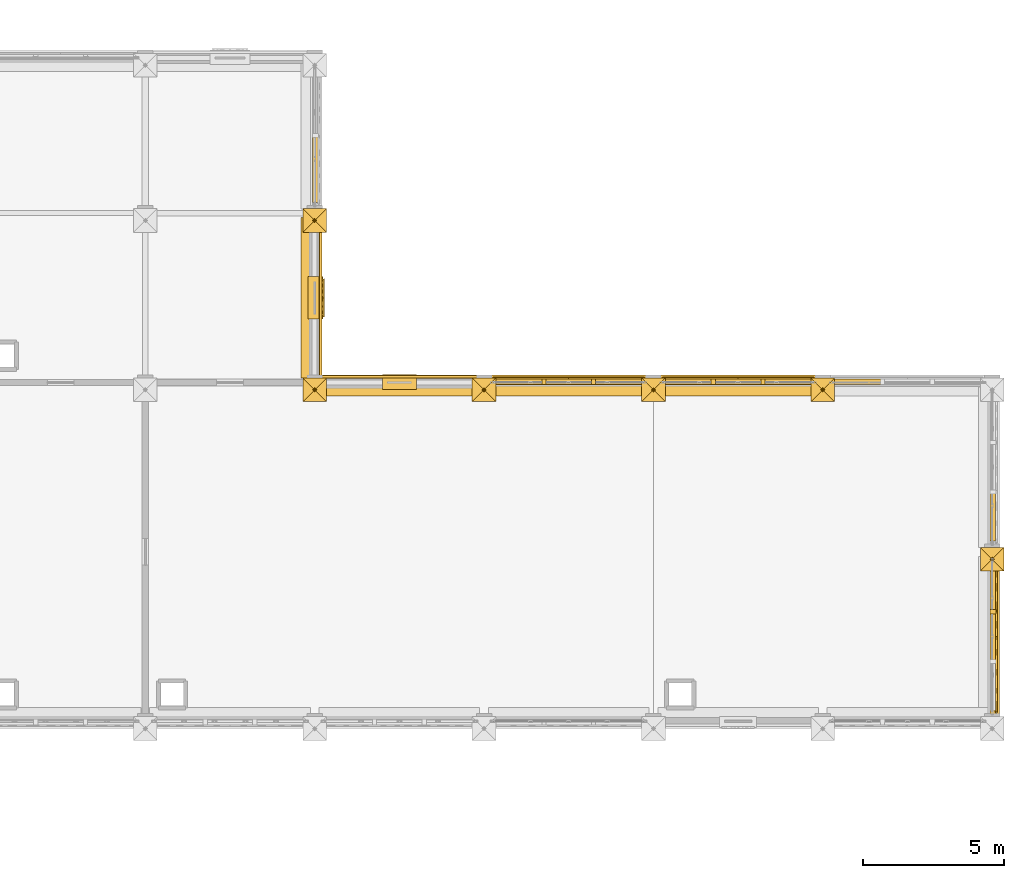
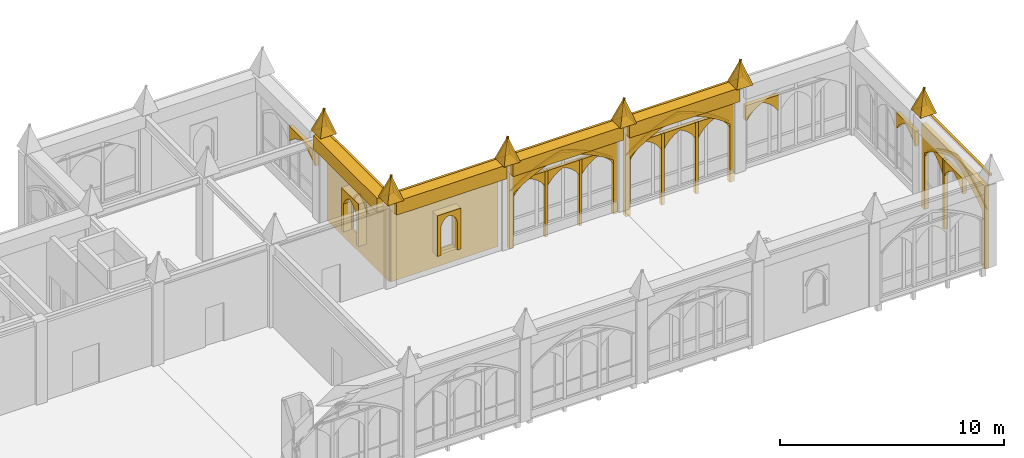
# One storey, part 104 of 108: 60 coverings.
"""IFC4 building model written with IfcOpenShell, lengths in metres."""

from ifc_helpers import new_model, si_unit, direction, frame, origin, origin_2d, place, context, subcontext, project, spatial, polyline, rectangle, outline, extrude, material, type_object, element, save


model = new_model("IFC4")

# Units and contexts
model_context = context("Model", 3, precision=1e-05, world=origin(), true_north=direction((0.0, 1.0)))
body_context = subcontext(model_context, "Body", "Model", "MODEL_VIEW")
ifc_project = project(units=[si_unit("LENGTHUNIT", "METRE"), si_unit("AREAUNIT", "SQUARE_METRE"), si_unit("VOLUMEUNIT", "CUBIC_METRE"), si_unit("PLANEANGLEUNIT", "RADIAN"), si_unit("MASSUNIT", "GRAM", prefix="KILO")], contexts=[model_context])

# Site, building, storey
site_placement = place(None, origin())
site = spatial("IfcSite", under=ifc_project, at=site_placement, CompositionType="ELEMENT")
building_placement = place(site_placement, origin())
building = spatial("IfcBuilding", under=site, at=building_placement, Name="Cumevento Cable Car Station", CompositionType="ELEMENT")
storey_placement = place(building_placement, frame((0.0, 0.0, 13.5)))
storey = spatial("IfcBuildingStorey", under=building, at=storey_placement, Name="L04", CompositionType="ELEMENT", Elevation=13.5)

# Coverings
ifc_material = material(Name="Gnaisse Facoidal Stone Ashlar 85 MPa", Category="masonry")
covering_type = type_object("IfcCoveringType", Name="Gnaisse Ashlar Cladding CV-CL01", PredefinedType="CLADDING", material=ifc_material)
for number, where, z_axis, x_axis, name in (
    (1, (141.580078125, 45.159912109375, 4.8701171875), (0.0, 0.951573760476, 0.30742052367), (1.0, 0.0, 0.0), "Gothic Buttress Pinnacle Spire Facet 1 bt:142.0:45.0"),
    (2, (142.419921875, 45.159912109375, 4.8701171875), (0.951573760476, 0.0, 0.30742052367), (0.0, -1.0, 0.0), "Gothic Buttress Pinnacle Spire Facet 2 bt:142.0:45.0"),
    (3, (142.419921875, 44.320068359375, 4.8701171875), (0.0, -0.951573760476, 0.30742052367), (-1.0, 0.0, 0.0), "Gothic Buttress Pinnacle Spire Facet 3 bt:142.0:45.0"),
    (4, (141.580078125, 44.320068359375, 4.8701171875), (-0.951573760476, 0.0, 0.30742052367), (0.0, 1.0, 0.0), "Gothic Buttress Pinnacle Spire Facet 4 bt:142.0:45.0"),
    (5, (141.580078125, 51.159912109375, 4.8701171875), (0.0, 0.951573760476, 0.30742052367), (1.0, 0.0, 0.0), "Gothic Buttress Pinnacle Spire Facet 1 bt:142.0:51.0"),
    (6, (142.419921875, 51.159912109375, 4.8701171875), (0.951573760476, 0.0, 0.30742052367), (0.0, -1.0, 0.0), "Gothic Buttress Pinnacle Spire Facet 2 bt:142.0:51.0"),
    (7, (142.419921875, 50.320068359375, 4.8701171875), (0.0, -0.951573760476, 0.30742052367), (-1.0, 0.0, 0.0), "Gothic Buttress Pinnacle Spire Facet 3 bt:142.0:51.0"),
    (8, (141.580078125, 50.320068359375, 4.8701171875), (-0.951573760476, 0.0, 0.30742052367), (0.0, 1.0, 0.0), "Gothic Buttress Pinnacle Spire Facet 4 bt:142.0:51.0"),
    (9, (147.580078125, 45.159912109375, 4.8701171875), (0.0, 0.951573760476, 0.30742052367), (1.0, 0.0, 0.0), "Gothic Buttress Pinnacle Spire Facet 1 bt:148.0:45.0"),
    (10, (148.419921875, 45.159912109375, 4.8701171875), (0.951573760476, 0.0, 0.30742052367), (0.0, -1.0, 0.0), "Gothic Buttress Pinnacle Spire Facet 2 bt:148.0:45.0"),
    (11, (148.419921875, 44.320068359375, 4.8701171875), (0.0, -0.951573760476, 0.30742052367), (-1.0, 0.0, 0.0), "Gothic Buttress Pinnacle Spire Facet 3 bt:148.0:45.0"),
    (12, (147.580078125, 44.320068359375, 4.8701171875), (-0.951573760476, 0.0, 0.30742052367), (0.0, 1.0, 0.0), "Gothic Buttress Pinnacle Spire Facet 4 bt:148.0:45.0"),
    (13, (153.580078125, 45.159912109375, 4.8701171875), (0.0, 0.951573760476, 0.30742052367), (1.0, 0.0, 0.0), "Gothic Buttress Pinnacle Spire Facet 1 bt:154.0:45.0"),
    (14, (154.419921875, 45.159912109375, 4.8701171875), (0.951573760476, 0.0, 0.30742052367), (0.0, -1.0, 0.0), "Gothic Buttress Pinnacle Spire Facet 2 bt:154.0:45.0"),
    (15, (154.419921875, 44.320068359375, 4.8701171875), (0.0, -0.951573760476, 0.30742052367), (-1.0, 0.0, 0.0), "Gothic Buttress Pinnacle Spire Facet 3 bt:154.0:45.0"),
    (16, (153.580078125, 44.320068359375, 4.8701171875), (-0.951573760476, 0.0, 0.30742052367), (0.0, 1.0, 0.0), "Gothic Buttress Pinnacle Spire Facet 4 bt:154.0:45.0"),
    (17, (159.580078125, 45.159912109375, 4.8701171875), (0.0, 0.951573760476, 0.30742052367), (1.0, 0.0, 0.0), "Gothic Buttress Pinnacle Spire Facet 1 bt:160.0:45.0"),
    (18, (160.419921875, 45.159912109375, 4.8701171875), (0.951573760476, 0.0, 0.30742052367), (0.0, -1.0, 0.0), "Gothic Buttress Pinnacle Spire Facet 2 bt:160.0:45.0"),
    (19, (160.419921875, 44.320068359375, 4.8701171875), (0.0, -0.951573760476, 0.30742052367), (-1.0, 0.0, 0.0), "Gothic Buttress Pinnacle Spire Facet 3 bt:160.0:45.0"),
    (20, (159.580078125, 44.320068359375, 4.8701171875), (-0.951573760476, 0.0, 0.30742052367), (0.0, 1.0, 0.0), "Gothic Buttress Pinnacle Spire Facet 4 bt:160.0:45.0"),
    (21, (165.580078125, 39.159912109375, 4.8701171875), (0.0, 0.951573760476, 0.30742052367), (1.0, 0.0, 0.0), "Gothic Buttress Pinnacle Spire Facet 1 bt:166.0:39.0"),
    (22, (166.419921875, 39.159912109375, 4.8701171875), (0.951573760476, 0.0, 0.30742052367), (0.0, -1.0, 0.0), "Gothic Buttress Pinnacle Spire Facet 2 bt:166.0:39.0"),
    (23, (166.419921875, 38.320068359375, 4.8701171875), (0.0, -0.951573760476, 0.30742052367), (-1.0, 0.0, 0.0), "Gothic Buttress Pinnacle Spire Facet 3 bt:166.0:39.0"),
    (24, (165.580078125, 38.320068359375, 4.8701171875), (-0.951573760476, 0.0, 0.30742052367), (0.0, 1.0, 0.0), "Gothic Buttress Pinnacle Spire Facet 4 bt:166.0:39.0"),
):
    element("IfcCovering", number, at=place(storey_placement, frame(where, z_axis=z_axis, x_axis=x_axis)), inside=storey, type_object=covering_type, Name=name, PredefinedType="CLADDING", context=body_context, shape_type="SweptSolid", body=[
        extrude(outline(polyline([(0.0, 0.0), (0.83984375, 0.0), (0.419921875, -1.3659526370817139), (0.0, 0.0)])), origin(), (0.0, 0.0, -1.0), 0.0849609375),
    ])
covering_1_placement = place(storey_placement, frame((145.0, 44.85009765625, 4.032958984375), z_axis=(0.0, 0.0, 1.0), x_axis=(1.0, 0.0, 0.0)))
element("IfcCovering", 25, at=covering_1_placement, inside=storey, type_object=covering_type, Name="Gothic Stone Spandrel Stringcourse sc:0765", PredefinedType="CLADDING", context=body_context, shape_type="SweptSolid", body=[
    extrude(rectangle(XDim=5.68994140625, YDim=0.659912109375, at=origin_2d()), origin(), (0.0, 0.0, 1.0), 0.7470703125),
])
covering_2_placement = place(storey_placement, frame((145.0, 45.20751953125, 4.650146484375), z_axis=(0.0, 0.0, 1.0), x_axis=(1.0, 0.0, 0.0)))
element("IfcCovering", 26, at=covering_2_placement, inside=storey, type_object=covering_type, Name="Gothic Cornice Dripstone Lip sc:0765", PredefinedType="CLADDING", context=body_context, shape_type="SweptSolid", body=[
    extrude(rectangle(XDim=5.72998046875, YDim=0.114990234375, at=origin_2d()), origin(), (0.0, 0.0, 1.0), 0.1298828125),
])
covering_3_placement = place(storey_placement, frame((151.0, 44.85009765625, 4.032958984375), z_axis=(0.0, 0.0, 1.0), x_axis=(1.0, 0.0, 0.0)))
element("IfcCovering", 27, at=covering_3_placement, inside=storey, type_object=covering_type, Name="Gothic Stone Spandrel Stringcourse sc:0766", PredefinedType="CLADDING", context=body_context, shape_type="SweptSolid", body=[
    extrude(rectangle(XDim=5.68994140625, YDim=0.659912109375, at=origin_2d()), origin(), (0.0, 0.0, 1.0), 0.7470703125),
])
covering_4_placement = place(storey_placement, frame((151.0, 45.20751953125, 4.650146484375), z_axis=(0.0, 0.0, 1.0), x_axis=(1.0, 0.0, 0.0)))
element("IfcCovering", 28, at=covering_4_placement, inside=storey, type_object=covering_type, Name="Gothic Cornice Dripstone Lip sc:0766", PredefinedType="CLADDING", context=body_context, shape_type="SweptSolid", body=[
    extrude(rectangle(XDim=5.72998046875, YDim=0.114990234375, at=origin_2d()), origin(), (0.0, 0.0, 1.0), 0.1298828125),
])
covering_5_placement = place(storey_placement, frame((157.0, 44.85009765625, 4.032958984375), z_axis=(0.0, 0.0, 1.0), x_axis=(1.0, 0.0, 0.0)))
element("IfcCovering", 29, at=covering_5_placement, inside=storey, type_object=covering_type, Name="Gothic Stone Spandrel Stringcourse sc:0767", PredefinedType="CLADDING", context=body_context, shape_type="SweptSolid", body=[
    extrude(rectangle(XDim=5.68994140625, YDim=0.659912109375, at=origin_2d()), origin(), (0.0, 0.0, 1.0), 0.7470703125),
])
for number, where, z_axis, x_axis, name in (
    (30, (157.0, 45.20751953125, 4.650146484375), (0.0, 0.0, 1.0), (1.0, 0.0, 0.0), "Gothic Cornice Dripstone Lip sc:0767"),
    (31, (166.20751953125, 36.0, 4.650146484375), (0.0, 0.0, 1.0), (0.0, -1.0, 0.0), "Gothic Cornice Dripstone Lip sc:0769"),
):
    element("IfcCovering", number, at=place(storey_placement, frame(where, z_axis=z_axis, x_axis=x_axis)), inside=storey, type_object=covering_type, Name=name, PredefinedType="CLADDING", context=body_context, shape_type="SweptSolid", body=[
        extrude(rectangle(XDim=5.72998046875, YDim=0.114990234375, at=origin_2d()), origin(), (0.0, 0.0, 1.0), 0.1298828125),
    ])
covering_6_placement = place(storey_placement, frame((141.85009765625, 48.0, 4.032958984375), z_axis=(0.0, 0.0, 1.0), x_axis=(0.0, -1.0, 0.0)))
element("IfcCovering", 32, at=covering_6_placement, inside=storey, type_object=covering_type, Name="Gothic Stone Spandrel Stringcourse sc:0776", PredefinedType="CLADDING", context=body_context, shape_type="SweptSolid", body=[
    extrude(rectangle(XDim=5.68994140625, YDim=0.659912109375, at=origin_2d()), origin(), (0.0, 0.0, 1.0), 0.7470703125),
])
covering_7_placement = place(storey_placement, frame((142.20751953125, 48.0, 4.650146484375), z_axis=(0.0, 0.0, 1.0), x_axis=(0.0, -1.0, 0.0)))
element("IfcCovering", 33, at=covering_7_placement, inside=storey, type_object=covering_type, Name="Gothic Cornice Dripstone Lip sc:0776", PredefinedType="CLADDING", context=body_context, shape_type="SweptSolid", body=[
    extrude(rectangle(XDim=5.72998046875, YDim=0.114990234375, at=origin_2d()), origin(), (0.0, 0.0, 1.0), 0.1298828125),
])
placement_1 = place(storey_placement, frame((148.27490234375, 45.0, -0.159912109375), z_axis=(0.0, 0.0, 1.0), x_axis=(1.0, 0.0, 0.0)))
element("IfcCovering", 34, at=placement_1, inside=storey, type_object=covering_type, Name="Gothic Ogival Pointed-Arch Stone Spandrel cw_ogival:0183", PredefinedType="CLADDING", context=body_context, shape_type="SweptSolid", body=[
    extrude(outline(polyline([(-0.080078125, 0.0), (-0.080078125, 4.3330078125), (5.530029296875, 4.3330078125), (5.530029296875, 0.0), (5.2900390625, 0.0), (5.2900390625, 2.966796875), (4.9970703125, 3.16650390625), (4.69482421875, 3.3515625), (4.3837890625, 3.521484375), (4.06494140625, 3.67626953125), (3.73876953125, 3.814697265625), (3.40625, 3.9375), (3.06787109375, 4.043701171875), (2.72509765625, 4.133056640625), (2.382080078125, 4.043701171875), (2.043701171875, 3.9375), (1.711181640625, 3.814697265625), (1.385009765625, 3.67626953125), (1.066162109375, 3.521484375), (0.755126953125, 3.3515625), (0.452880859375, 3.16650390625), (0.159912109375, 2.966796875), (0.159912109375, 0.0), (-0.080078125, 0.0)])), frame((0.0, 0.139892578125, 0.0), z_axis=(0.0, -1.0, 0.0), x_axis=(1.0, 0.0, 0.0)), (0.0, 0.0, 1.0), 0.219970703125),
])
covering_9_placement = place(storey_placement, frame((148.27490234375, 45.0, 2.806640625), z_axis=(0.0, 0.0, 1.0), x_axis=(1.0, 0.0, 0.0)))
element("IfcCovering", 35, at=covering_9_placement, inside=storey, type_object=covering_type, Name="Gothic Pointed Archivolt Hood Moulding cw_ogival:0183", PredefinedType="CLADDING", context=body_context, shape_type="SweptSolid", body=[
    extrude(outline(polyline([(0.159912109375, 0.0), (0.452880859375, 0.19970703125), (0.755126953125, 0.384765625), (1.066162109375, 0.554931640625), (1.385009765625, 0.70947265625), (1.711181640625, 0.84814453125), (2.043701171875, 0.970703125), (2.382080078125, 1.076904296875), (2.72509765625, 1.166259765625), (3.06787109375, 1.076904296875), (3.40625, 0.970703125), (3.73876953125, 0.84814453125), (4.06494140625, 0.70947265625), (4.3837890625, 0.554931640625), (4.69482421875, 0.384765625), (4.9970703125, 0.19970703125), (5.2900390625, 0.0), (5.39990234375, 0.0), (5.0986328125, 0.22265625), (4.785888671875, 0.42919921875), (4.463134765625, 0.619140625), (4.130615234375, 0.7919921875), (3.789794921875, 0.947265625), (3.441162109375, 1.08447265625), (3.0859375, 1.20361328125), (2.72509765625, 1.3037109375), (2.364013671875, 1.20361328125), (2.0087890625, 1.08447265625), (1.66015625, 0.947265625), (1.3193359375, 0.7919921875), (0.98681640625, 0.619140625), (0.6640625, 0.42919921875), (0.351318359375, 0.22265625), (0.050048828125, 0.0), (0.159912109375, 0.0)])), frame((0.0, 0.181884765625, 0.0), z_axis=(0.0, -1.0, 0.0), x_axis=(1.0, 0.0, 0.0)), (0.0, 0.0, 1.0), 0.06689453125),
])
element("IfcCovering", 36, at=placement_1, inside=storey, type_object=covering_type, Name="Gothic Bifora Stone Colonnette cw_ogival:0183 #1", PredefinedType="CLADDING", context=body_context, shape_type="SweptSolid", body=[
    extrude(outline(polyline([(1.77001953125, -0.02001953125), (1.919921875, -0.02001953125), (1.919921875, 3.5732421875), (1.77001953125, 3.5732421875), (1.77001953125, -0.02001953125)])), frame((0.0, 0.1279296875, 0.0), z_axis=(0.0, -1.0, 0.0), x_axis=(1.0, 0.0, 0.0)), (0.0, 0.0, 1.0), 0.205078125),
])
element("IfcCovering", 37, at=placement_1, inside=storey, type_object=covering_type, Name="Gothic Bifora Stone Colonnette cw_ogival:0183 #2", PredefinedType="CLADDING", context=body_context, shape_type="SweptSolid", body=[
    extrude(outline(polyline([(3.530029296875, -0.02001953125), (3.679931640625, -0.02001953125), (3.679931640625, 3.5732421875), (3.530029296875, 3.5732421875), (3.530029296875, -0.02001953125)])), frame((0.0, 0.1279296875, 0.0), z_axis=(0.0, -1.0, 0.0), x_axis=(1.0, 0.0, 0.0)), (0.0, 0.0, 1.0), 0.205078125),
])
for number, where, z_axis, x_axis, name in (
    (38, (148.405029296875, 45.0, 2.626708984375), (0.0, 0.0, 1.0), (1.0, 0.0, 0.0), "Gothic Ogival Pointed-Arch Stone Spandrel cw_ogival:0183:sub:0"),
    (39, (150.1650390625, 45.0, 2.626708984375), (0.0, 0.0, 1.0), (1.0, 0.0, 0.0), "Gothic Ogival Pointed-Arch Stone Spandrel cw_ogival:0183:sub:1"),
    (40, (151.925048828125, 45.0, 2.626708984375), (0.0, 0.0, 1.0), (1.0, 0.0, 0.0), "Gothic Ogival Pointed-Arch Stone Spandrel cw_ogival:0183:sub:2"),
):
    element("IfcCovering", number, at=place(storey_placement, frame(where, z_axis=z_axis, x_axis=x_axis)), inside=storey, type_object=covering_type, Name=name, PredefinedType="CLADDING", context=body_context, shape_type="SweptSolid", body=[
        extrude(outline(polyline([(-0.02001953125, 0.0), (-0.02001953125, 0.78662109375), (1.68994140625, 0.78662109375), (1.68994140625, 0.0), (1.6298828125, 0.0), (1.52978515625, 0.14453125), (1.414794921875, 0.277587890625), (1.286376953125, 0.397705078125), (1.145751953125, 0.503173828125), (0.99462890625, 0.59326171875), (0.8349609375, 0.66650390625), (0.67529296875, 0.59326171875), (0.524169921875, 0.503173828125), (0.383544921875, 0.397705078125), (0.255126953125, 0.277587890625), (0.14013671875, 0.14453125), (0.0400390625, 0.0), (-0.02001953125, 0.0)])), frame((0.0, 0.1240234375, 0.0), z_axis=(0.0, -1.0, 0.0), x_axis=(1.0, 0.0, 0.0)), (0.0, 0.0, 1.0), 0.199951171875),
    ])
placement_2 = place(storey_placement, frame((154.27490234375, 45.0, -0.52001953125), z_axis=(0.0, 0.0, 1.0), x_axis=(1.0, 0.0, 0.0)))
element("IfcCovering", 41, at=placement_2, inside=storey, type_object=covering_type, Name="Gothic Ogival Pointed-Arch Stone Spandrel cw_ogival:0184", PredefinedType="CLADDING", context=body_context, shape_type="SweptSolid", body=[
    extrude(outline(polyline([(-0.080078125, 0.0), (-0.080078125, 4.693115234375), (5.530029296875, 4.693115234375), (5.530029296875, 0.0), (5.2900390625, 0.0), (5.2900390625, 3.197021484375), (5.003173828125, 3.417724609375), (4.704833984375, 3.622802734375), (4.39599609375, 3.811767578125), (4.077392578125, 3.9833984375), (3.75, 4.137939453125), (3.414794921875, 4.274658203125), (3.07275390625, 4.39306640625), (2.72509765625, 4.492919921875), (2.377197265625, 4.39306640625), (2.03515625, 4.274658203125), (1.699951171875, 4.137939453125), (1.37255859375, 3.9833984375), (1.053955078125, 3.811767578125), (0.7451171875, 3.622802734375), (0.44677734375, 3.417724609375), (0.159912109375, 3.197021484375), (0.159912109375, 0.0), (-0.080078125, 0.0)])), frame((0.0, 0.139892578125, 0.0), z_axis=(0.0, -1.0, 0.0), x_axis=(1.0, 0.0, 0.0)), (0.0, 0.0, 1.0), 0.219970703125),
])
covering_13_placement = place(storey_placement, frame((154.27490234375, 45.0, 2.677001953125), z_axis=(0.0, 0.0, 1.0), x_axis=(1.0, 0.0, 0.0)))
element("IfcCovering", 42, at=covering_13_placement, inside=storey, type_object=covering_type, Name="Gothic Pointed Archivolt Hood Moulding cw_ogival:0184", PredefinedType="CLADDING", context=body_context, shape_type="SweptSolid", body=[
    extrude(outline(polyline([(0.159912109375, 0.0), (0.44677734375, 0.220703125), (0.7451171875, 0.42578125), (1.053955078125, 0.61474609375), (1.37255859375, 0.786376953125), (1.699951171875, 0.94091796875), (2.03515625, 1.07763671875), (2.377197265625, 1.196044921875), (2.72509765625, 1.2958984375), (3.07275390625, 1.196044921875), (3.414794921875, 1.07763671875), (3.75, 0.94091796875), (4.077392578125, 0.786376953125), (4.39599609375, 0.61474609375), (4.704833984375, 0.42578125), (5.003173828125, 0.220703125), (5.2900390625, 0.0), (5.39990234375, 0.0), (5.10498046875, 0.243408203125), (4.796630859375, 0.469970703125), (4.475830078125, 0.678466796875), (4.143798828125, 0.86865234375), (3.8017578125, 1.039794921875), (3.450439453125, 1.191162109375), (3.091064453125, 1.322509765625), (2.72509765625, 1.433349609375), (2.35888671875, 1.322509765625), (1.99951171875, 1.191162109375), (1.648193359375, 1.039794921875), (1.30615234375, 0.86865234375), (0.97412109375, 0.678466796875), (0.6533203125, 0.469970703125), (0.344970703125, 0.243408203125), (0.050048828125, 0.0), (0.159912109375, 0.0)])), frame((0.0, 0.181884765625, 0.0), z_axis=(0.0, -1.0, 0.0), x_axis=(1.0, 0.0, 0.0)), (0.0, 0.0, 1.0), 0.06689453125),
])
element("IfcCovering", 43, at=placement_2, inside=storey, type_object=covering_type, Name="Gothic Bifora Stone Colonnette cw_ogival:0184 #1", PredefinedType="CLADDING", context=body_context, shape_type="SweptSolid", body=[
    extrude(outline(polyline([(1.77001953125, -0.02001953125), (1.919921875, -0.02001953125), (1.919921875, 3.87109375), (1.77001953125, 3.87109375), (1.77001953125, -0.02001953125)])), frame((0.0, 0.1279296875, 0.0), z_axis=(0.0, -1.0, 0.0), x_axis=(1.0, 0.0, 0.0)), (0.0, 0.0, 1.0), 0.205078125),
])
element("IfcCovering", 44, at=placement_2, inside=storey, type_object=covering_type, Name="Gothic Bifora Stone Colonnette cw_ogival:0184 #2", PredefinedType="CLADDING", context=body_context, shape_type="SweptSolid", body=[
    extrude(outline(polyline([(3.530029296875, -0.02001953125), (3.679931640625, -0.02001953125), (3.679931640625, 3.87109375), (3.530029296875, 3.87109375), (3.530029296875, -0.02001953125)])), frame((0.0, 0.1279296875, 0.0), z_axis=(0.0, -1.0, 0.0), x_axis=(1.0, 0.0, 0.0)), (0.0, 0.0, 1.0), 0.205078125),
])
for number, where, z_axis, x_axis, name in (
    (45, (154.405029296875, 45.0, 2.4970703125), (0.0, 0.0, 1.0), (1.0, 0.0, 0.0), "Gothic Ogival Pointed-Arch Stone Spandrel cw_ogival:0184:sub:0"),
    (46, (156.1650390625, 45.0, 2.4970703125), (0.0, 0.0, 1.0), (1.0, 0.0, 0.0), "Gothic Ogival Pointed-Arch Stone Spandrel cw_ogival:0184:sub:1"),
    (47, (157.925048828125, 45.0, 2.4970703125), (0.0, 0.0, 1.0), (1.0, 0.0, 0.0), "Gothic Ogival Pointed-Arch Stone Spandrel cw_ogival:0184:sub:2"),
):
    element("IfcCovering", number, at=place(storey_placement, frame(where, z_axis=z_axis, x_axis=x_axis)), inside=storey, type_object=covering_type, Name=name, PredefinedType="CLADDING", context=body_context, shape_type="SweptSolid", body=[
        extrude(outline(polyline([(-0.02001953125, 0.0), (-0.02001953125, 0.85400390625), (1.68994140625, 0.85400390625), (1.68994140625, 0.0), (1.6298828125, 0.0), (1.535400390625, 0.15771484375), (1.423583984375, 0.303466796875), (1.2958984375, 0.435791015625), (1.154052734375, 0.552490234375), (0.999755859375, 0.65234375), (0.8349609375, 0.73388671875), (0.670166015625, 0.65234375), (0.515869140625, 0.552490234375), (0.3740234375, 0.435791015625), (0.246337890625, 0.303466796875), (0.134521484375, 0.15771484375), (0.0400390625, 0.0), (-0.02001953125, 0.0)])), frame((0.0, 0.1240234375, 0.0), z_axis=(0.0, -1.0, 0.0), x_axis=(1.0, 0.0, 0.0)), (0.0, 0.0, 1.0), 0.199951171875),
    ])
covering_16_placement = place(storey_placement, frame((160.405029296875, 45.0, 2.533203125), z_axis=(0.0, 0.0, 1.0), x_axis=(1.0, 0.0, 0.0)))
element("IfcCovering", 48, at=covering_16_placement, inside=storey, type_object=covering_type, Name="Gothic Ogival Pointed-Arch Stone Spandrel cw_ogival:0186:sub:0", PredefinedType="CLADDING", context=body_context, shape_type="SweptSolid", body=[
    extrude(outline(polyline([(-0.02001953125, 0.0), (-0.02001953125, 0.835205078125), (1.68994140625, 0.835205078125), (1.68994140625, 0.0), (1.6298828125, 0.0), (1.533935546875, 0.154052734375), (1.421142578125, 0.29638671875), (1.293212890625, 0.425048828125), (1.151611328125, 0.538818359375), (0.998291015625, 0.6357421875), (0.8349609375, 0.715087890625), (0.671630859375, 0.6357421875), (0.518310546875, 0.538818359375), (0.376708984375, 0.425048828125), (0.248779296875, 0.29638671875), (0.135986328125, 0.154052734375), (0.0400390625, 0.0), (-0.02001953125, 0.0)])), frame((0.0, 0.1240234375, 0.0), z_axis=(0.0, -1.0, 0.0), x_axis=(1.0, 0.0, 0.0)), (0.0, 0.0, 1.0), 0.199951171875),
])
placement_3 = place(storey_placement, frame((166.0, 38.72509765625, -0.3701171875), z_axis=(0.0, 0.0, 1.0), x_axis=(0.0, -1.0, 0.0)))
element("IfcCovering", 49, at=placement_3, inside=storey, type_object=covering_type, Name="Gothic Ogival Pointed-Arch Stone Spandrel cw_ogival:0187", PredefinedType="CLADDING", context=body_context, shape_type="SweptSolid", body=[
    extrude(outline(polyline([(-0.080078125, 0.0), (-0.080078125, 4.54296875), (5.530029296875, 4.54296875), (5.530029296875, 0.0), (5.2900390625, 0.0), (5.2900390625, 3.10107421875), (5.00048828125, 3.313232421875), (4.70068359375, 3.510009765625), (4.390869140625, 3.69091796875), (4.072021484375, 3.85546875), (3.7451171875, 4.00341796875), (3.4111328125, 4.13427734375), (3.07080078125, 4.24755859375), (2.72509765625, 4.343017578125), (2.379150390625, 4.24755859375), (2.038818359375, 4.13427734375), (1.704833984375, 4.00341796875), (1.3779296875, 3.85546875), (1.05908203125, 3.69091796875), (0.749267578125, 3.510009765625), (0.449462890625, 3.313232421875), (0.159912109375, 3.10107421875), (0.159912109375, 0.0), (-0.080078125, 0.0)])), frame((0.0, 0.139892578125, 0.0), z_axis=(0.0, -1.0, 0.0), x_axis=(1.0, 0.0, 0.0)), (0.0, 0.0, 1.0), 0.219970703125),
])
covering_18_placement = place(storey_placement, frame((166.0, 38.72509765625, 2.731201171875), z_axis=(0.0, 0.0, 1.0), x_axis=(0.0, -1.0, 0.0)))
element("IfcCovering", 50, at=covering_18_placement, inside=storey, type_object=covering_type, Name="Gothic Pointed Archivolt Hood Moulding cw_ogival:0187", PredefinedType="CLADDING", context=body_context, shape_type="SweptSolid", body=[
    extrude(outline(polyline([(0.159912109375, 0.0), (0.449462890625, 0.212158203125), (0.749267578125, 0.408935546875), (1.05908203125, 0.58984375), (1.3779296875, 0.75439453125), (1.704833984375, 0.90234375), (2.038818359375, 1.033203125), (2.379150390625, 1.146484375), (2.72509765625, 1.241943359375), (3.07080078125, 1.146484375), (3.4111328125, 1.033203125), (3.7451171875, 0.90234375), (4.072021484375, 0.75439453125), (4.390869140625, 0.58984375), (4.70068359375, 0.408935546875), (5.00048828125, 0.212158203125), (5.2900390625, 0.0), (5.39990234375, 0.0), (5.102294921875, 0.23486328125), (4.7919921875, 0.452880859375), (4.470458984375, 0.65380859375), (4.13818359375, 0.836669921875), (3.796630859375, 1.001220703125), (3.446533203125, 1.146728515625), (3.0888671875, 1.27294921875), (2.72509765625, 1.37939453125), (2.361083984375, 1.27294921875), (2.00341796875, 1.146728515625), (1.6533203125, 1.001220703125), (1.311767578125, 0.836669921875), (0.9794921875, 0.65380859375), (0.657958984375, 0.452880859375), (0.34765625, 0.23486328125), (0.050048828125, 0.0), (0.159912109375, 0.0)])), frame((0.0, 0.181884765625, 0.0), z_axis=(0.0, -1.0, 0.0), x_axis=(1.0, 0.0, 0.0)), (0.0, 0.0, 1.0), 0.06689453125),
])
element("IfcCovering", 51, at=placement_3, inside=storey, type_object=covering_type, Name="Gothic Bifora Stone Colonnette cw_ogival:0187 #1", PredefinedType="CLADDING", context=body_context, shape_type="SweptSolid", body=[
    extrude(outline(polyline([(1.77001953125, -0.02001953125), (1.919921875, -0.02001953125), (1.919921875, 3.746826171875), (1.77001953125, 3.746826171875), (1.77001953125, -0.02001953125)])), frame((0.0, 0.1279296875, 0.0), z_axis=(0.0, -1.0, 0.0), x_axis=(1.0, 0.0, 0.0)), (0.0, 0.0, 1.0), 0.205078125),
])
for number, where, z_axis, x_axis, name in (
    (52, (166.0, 38.594970703125, 2.551025390625), (0.0, 0.0, 1.0), (0.0, -1.0, 0.0), "Gothic Ogival Pointed-Arch Stone Spandrel cw_ogival:0187:sub:0"),
    (53, (166.0, 36.8349609375, 2.551025390625), (0.0, 0.0, 1.0), (0.0, -1.0, 0.0), "Gothic Ogival Pointed-Arch Stone Spandrel cw_ogival:0187:sub:1"),
):
    element("IfcCovering", number, at=place(storey_placement, frame(where, z_axis=z_axis, x_axis=x_axis)), inside=storey, type_object=covering_type, Name=name, PredefinedType="CLADDING", context=body_context, shape_type="SweptSolid", body=[
        extrude(outline(polyline([(-0.02001953125, 0.0), (-0.02001953125, 0.82568359375), (1.68994140625, 0.82568359375), (1.68994140625, 0.0), (1.6298828125, 0.0), (1.533203125, 0.15234375), (1.419921875, 0.292724609375), (1.2919921875, 0.419921875), (1.150634765625, 0.531982421875), (0.99755859375, 0.627685546875), (0.8349609375, 0.705810546875), (0.67236328125, 0.627685546875), (0.519287109375, 0.531982421875), (0.3779296875, 0.419921875), (0.25, 0.292724609375), (0.13671875, 0.15234375), (0.0400390625, 0.0), (-0.02001953125, 0.0)])), frame((0.0, 0.1240234375, 0.0), z_axis=(0.0, -1.0, 0.0), x_axis=(1.0, 0.0, 0.0)), (0.0, 0.0, 1.0), 0.199951171875),
    ])
covering_20_placement = place(storey_placement, frame((166.0, 41.074951171875, 2.569091796875), z_axis=(0.0, 0.0, 1.0), x_axis=(0.0, -1.0, 0.0)))
element("IfcCovering", 54, at=covering_20_placement, inside=storey, type_object=covering_type, Name="Gothic Ogival Pointed-Arch Stone Spandrel cw_ogival:0188:sub:2", PredefinedType="CLADDING", context=body_context, shape_type="SweptSolid", body=[
    extrude(outline(polyline([(-0.02001953125, 0.0), (-0.02001953125, 0.81640625), (1.68994140625, 0.81640625), (1.68994140625, 0.0), (1.6298828125, 0.0), (1.5322265625, 0.150390625), (1.418701171875, 0.2890625), (1.29052734375, 0.41455078125), (1.1494140625, 0.525146484375), (0.996826171875, 0.619384765625), (0.8349609375, 0.6962890625), (0.673095703125, 0.619384765625), (0.5205078125, 0.525146484375), (0.37939453125, 0.41455078125), (0.251220703125, 0.2890625), (0.1376953125, 0.150390625), (0.0400390625, 0.0), (-0.02001953125, 0.0)])), frame((0.0, 0.1240234375, 0.0), z_axis=(0.0, -1.0, 0.0), x_axis=(1.0, 0.0, 0.0)), (0.0, 0.0, 1.0), 0.199951171875),
])
covering_21_placement = place(storey_placement, frame((142.0, 53.705078125, 2.626708984375), z_axis=(0.0, 0.0, 1.0), x_axis=(0.0, -1.0, 0.0)))
element("IfcCovering", 55, at=covering_21_placement, inside=storey, type_object=covering_type, Name="Gothic Ogival Pointed-Arch Stone Spandrel cw_ogival:0191:sub:1", PredefinedType="CLADDING", context=body_context, shape_type="SweptSolid", body=[
    extrude(outline(polyline([(-0.02001953125, 0.0), (-0.02001953125, 0.78662109375), (2.320068359375, 0.78662109375), (2.320068359375, 0.0), (2.260009765625, 0.0), (2.100341796875, 0.148193359375), (1.9287109375, 0.28271484375), (1.746826171875, 0.402587890625), (1.555419921875, 0.507080078125), (1.35595703125, 0.59521484375), (1.14990234375, 0.66650390625), (0.944091796875, 0.59521484375), (0.74462890625, 0.507080078125), (0.55322265625, 0.402587890625), (0.371337890625, 0.28271484375), (0.19970703125, 0.148193359375), (0.0400390625, 0.0), (-0.02001953125, 0.0)])), frame((0.0, 0.1240234375, 0.0), z_axis=(0.0, -1.0, 0.0), x_axis=(1.0, 0.0, 0.0)), (0.0, 0.0, 1.0), 0.199951171875),
])
covering_22_placement = place(storey_placement, frame((142.27490234375, 45.0, 0.0), z_axis=(0.0, 0.0, 1.0), x_axis=(1.0, 0.0, 0.0)))
element("IfcCovering", 56, at=covering_22_placement, inside=storey, type_object=covering_type, Name="Exterior Gnaisse Stone Wall Ashlar #289", PredefinedType="CLADDING", context=body_context, shape_type="SweptSolid", body=[
    extrude(outline(polyline([(-0.0400390625, -0.02001953125), (5.489990234375, -0.02001953125), (5.489990234375, 4.113037109375), (-0.0400390625, 4.113037109375), (-0.0400390625, -0.02001953125)]), holes=[polyline([(2.31005859375, 0.909912109375), (3.139892578125, 0.909912109375), (3.139892578125, 2.840087890625), (2.31005859375, 2.840087890625), (2.31005859375, 0.909912109375)])]), frame((0.0, 0.25244140625, 0.0), z_axis=(0.0, -1.0, 0.0), x_axis=(1.0, 0.0, 0.0)), (0.0, 0.0, 1.0), 0.0849609375),
])
covering_23_placement = place(storey_placement, frame((144.43505859375, 45.0, 0.85009765625), z_axis=(0.0, 0.0, 1.0), x_axis=(1.0, 0.0, 0.0)))
element("IfcCovering", 57, at=covering_23_placement, inside=storey, type_object=covering_type, Name="Gothic Ogival Pointed-Arch Stone Spandrel op_ogival:0289:1", PredefinedType="CLADDING", context=body_context, shape_type="SweptSolid", body=[
    extrude(outline(polyline([(-0.0400390625, 0.0), (-0.0400390625, 2.219970703125), (1.169921875, 2.219970703125), (1.169921875, 0.0), (0.989990234375, 0.0), (0.989990234375, 1.4541015625), (0.97998046875, 1.56396484375), (0.95068359375, 1.67041015625), (0.90283203125, 1.77001953125), (0.838134765625, 1.859375), (0.75830078125, 1.935302734375), (0.666259765625, 1.99658203125), (0.56494140625, 2.039794921875), (0.463623046875, 1.99658203125), (0.37158203125, 1.935302734375), (0.291748046875, 1.859375), (0.22705078125, 1.77001953125), (0.17919921875, 1.67041015625), (0.14990234375, 1.56396484375), (0.139892578125, 1.4541015625), (0.139892578125, 0.0), (-0.0400390625, 0.0)])), frame((0.0, 0.29052734375, 0.0), z_axis=(0.0, -1.0, 0.0), x_axis=(1.0, 0.0, 0.0)), (0.0, 0.0, 1.0), 0.534912109375),
])
covering_24_placement = place(storey_placement, frame((142.0, 50.72509765625, 0.0), z_axis=(0.0, 0.0, 1.0), x_axis=(0.0, -1.0, 0.0)))
element("IfcCovering", 58, at=covering_24_placement, inside=storey, type_object=covering_type, Name="Exterior Gnaisse Stone Wall Ashlar #294", PredefinedType="CLADDING", context=body_context, shape_type="SweptSolid", body=[
    extrude(outline(polyline([(-0.0400390625, -0.02001953125), (5.489990234375, -0.02001953125), (5.489990234375, 4.113037109375), (-0.0400390625, 4.113037109375), (-0.0400390625, -0.02001953125)]), holes=[polyline([(2.159912109375, 0.860107421875), (3.2900390625, 0.860107421875), (3.2900390625, 2.889892578125), (2.159912109375, 2.889892578125), (2.159912109375, 0.860107421875)])]), frame((0.0, 0.25244140625, 0.0), z_axis=(0.0, -1.0, 0.0), x_axis=(1.0, 0.0, 0.0)), (0.0, 0.0, 1.0), 0.0849609375),
])
covering_25_placement = place(storey_placement, frame((142.0, 48.715087890625, 0.800048828125), z_axis=(0.0, 0.0, 1.0), x_axis=(0.0, -1.0, 0.0)))
element("IfcCovering", 59, at=covering_25_placement, inside=storey, type_object=covering_type, Name="Gothic Ogival Pointed-Arch Stone Spandrel op_ogival:0294:1", PredefinedType="CLADDING", context=body_context, shape_type="SweptSolid", body=[
    extrude(outline(polyline([(-0.0400390625, 0.0), (-0.0400390625, 2.320068359375), (1.469970703125, 2.320068359375), (1.469970703125, 0.0), (1.2900390625, 0.0), (1.2900390625, 1.52587890625), (1.23876953125, 1.6376953125), (1.17578125, 1.743408203125), (1.101806640625, 1.841796875), (1.017578125, 1.931396484375), (0.92431640625, 2.01171875), (0.8232421875, 2.081298828125), (0.715087890625, 2.139892578125), (0.606689453125, 2.081298828125), (0.505615234375, 2.01171875), (0.412353515625, 1.931396484375), (0.328125, 1.841796875), (0.254150390625, 1.743408203125), (0.191162109375, 1.6376953125), (0.139892578125, 1.52587890625), (0.139892578125, 0.0), (-0.0400390625, 0.0)])), frame((0.0, 0.29052734375, 0.0), z_axis=(0.0, -1.0, 0.0), x_axis=(1.0, 0.0, 0.0)), (0.0, 0.0, 1.0), 0.534912109375),
])
covering_26_placement = place(storey_placement, frame((142.0, 48.715087890625, 2.325927734375), z_axis=(0.0, 0.0, 1.0), x_axis=(0.0, -1.0, 0.0)))
element("IfcCovering", 60, at=covering_26_placement, inside=storey, type_object=covering_type, Name="Gothic Pointed Archivolt Hood Moulding op_ogival:0294:1", PredefinedType="CLADDING", context=body_context, shape_type="SweptSolid", body=[
    extrude(outline(polyline([(0.139892578125, 0.0), (0.191162109375, 0.11181640625), (0.254150390625, 0.217529296875), (0.328125, 0.315673828125), (0.412353515625, 0.405517578125), (0.505615234375, 0.48583984375), (0.606689453125, 0.555419921875), (0.715087890625, 0.614013671875), (0.8232421875, 0.555419921875), (0.92431640625, 0.48583984375), (1.017578125, 0.405517578125), (1.101806640625, 0.315673828125), (1.17578125, 0.217529296875), (1.23876953125, 0.11181640625), (1.2900390625, 0.0), (1.388916015625, 0.0), (1.330322265625, 0.134033203125), (1.25732421875, 0.2607421875), (1.171142578125, 0.378662109375), (1.072509765625, 0.486572265625), (0.962646484375, 0.583251953125), (0.843017578125, 0.667236328125), (0.715087890625, 0.73779296875), (0.5869140625, 0.667236328125), (0.46728515625, 0.583251953125), (0.357421875, 0.486572265625), (0.2587890625, 0.378662109375), (0.172607421875, 0.2607421875), (0.099609375, 0.134033203125), (0.041015625, 0.0), (0.139892578125, 0.0)])), frame((0.0, 0.33251953125, 0.0), z_axis=(0.0, -1.0, 0.0), x_axis=(1.0, 0.0, 0.0)), (0.0, 0.0, 1.0), 0.06689453125),
])

save(model, "model.ifc")
